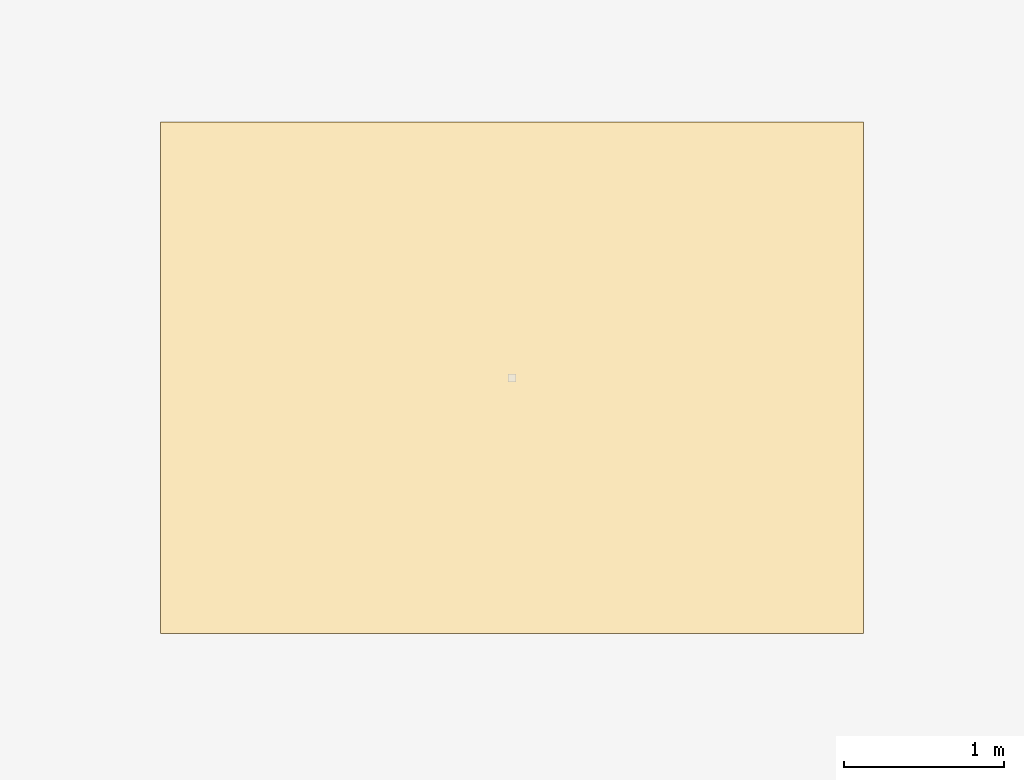
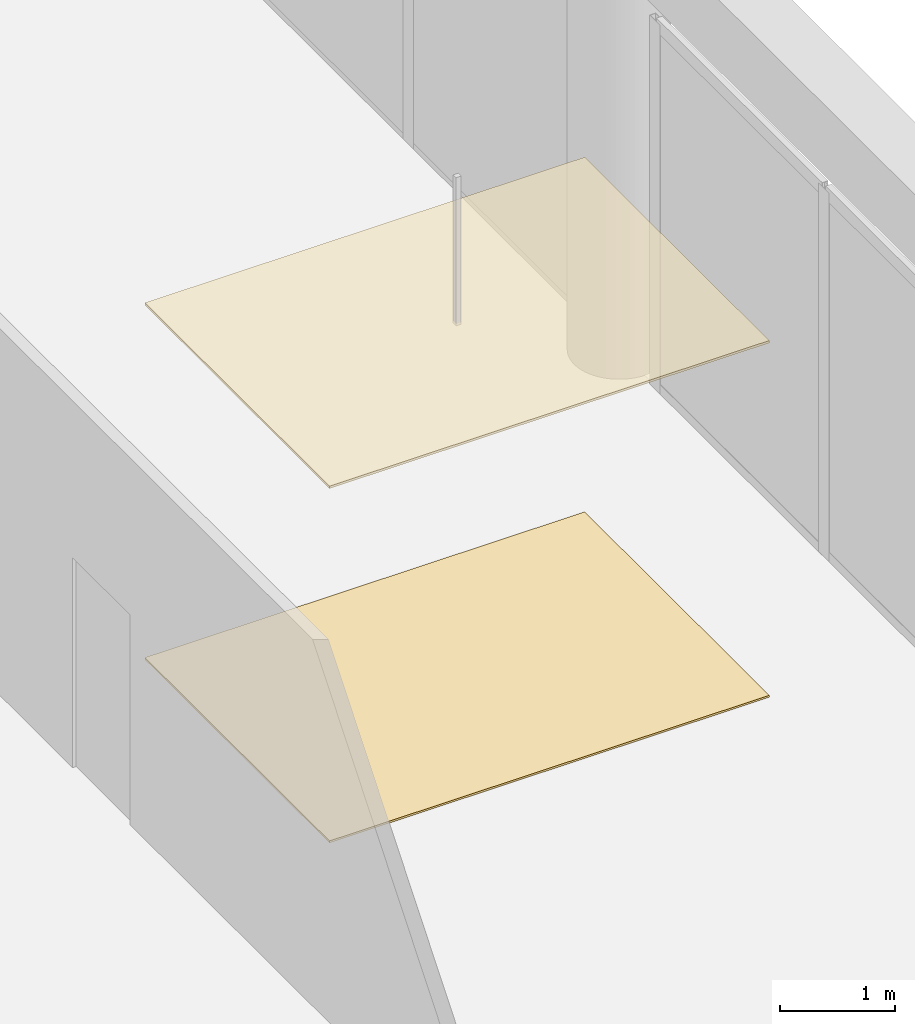
# One storey, part 52 of 56: 2 coverings.
"""IFC4 building model written with IfcOpenShell, lengths in metres."""

import ifcopenshell
import ifcopenshell.guid

model = None  # the IFC model being written
_history = None  # IfcOwnerHistory: only IFC2X3 demands one
_inside = {}  # id of a spatial element -> (the spatial element, [elements in it])
_under = {}  # id of a project, library or spatial element -> (it, [spatial elements below it])
_declared = {}  # id of a project -> (the project, [libraries it declares])
_typed = {}  # id of a type object -> (the type object, [elements of that type])
_made_of = {}  # id of a material, layer set ... -> (it, [elements and type objects made of it])


def new_model(schema):
    """Start an empty IFC model of exactly this schema.

    Asked for "IFC4X3", IfcOpenShell would pick the latest addendum, in which some entities
    have other attributes; the version numbers below select the first issue.
    IFC2X3 requires an IfcOwnerHistory on every rooted entity: one is made here for all.
    """
    global model, _history
    if schema == "IFC4X3":
        model = ifcopenshell.file(schema_version=(4, 3, 0, 0))
    else:
        model = ifcopenshell.file(schema=schema)
    _inside.clear()
    _under.clear()
    _declared.clear()
    _typed.clear()
    _made_of.clear()
    _history = None
    if model.schema == "IFC2X3":
        org = make("IfcOrganization", Name="unknown")
        user = make(
            "IfcPersonAndOrganization",
            ThePerson=make("IfcPerson", FamilyName="unknown"),
            TheOrganization=org,
        )
        app = make(
            "IfcApplication",
            ApplicationDeveloper=org,
            Version="unknown",
            ApplicationFullName="unknown",
            ApplicationIdentifier="unknown",
        )
        _history = make(
            "IfcOwnerHistory",
            OwningUser=user,
            OwningApplication=app,
            ChangeAction="ADDED",
            CreationDate=0,
        )
    return model


def make(cls, **values):
    """One entity of the class cls with the attributes given. An attribute that is None is left unset."""
    return model.create_entity(
        cls, **{name: value for name, value in values.items() if value is not None}
    )


def rooted(cls, **values):
    """An entity with a GlobalId (a new one), such as an element, a storey or a relation."""
    return make(cls, GlobalId=ifcopenshell.guid.new(), OwnerHistory=_history, **values)


def si_unit(unit_type, name, prefix=None):
    """IfcSIUnit, for example si_unit("LENGTHUNIT", "METRE", prefix="MILLI")."""
    return make("IfcSIUnit", UnitType=unit_type, Prefix=prefix, Name=name)


def assignment(units):
    """IfcUnitAssignment: the units of a project."""
    return None if units is None else make("IfcUnitAssignment", Units=units)


def point(xyz):
    """IfcCartesianPoint."""
    return None if xyz is None else make("IfcCartesianPoint", Coordinates=xyz)


def direction(xyz):
    """IfcDirection."""
    return None if xyz is None else make("IfcDirection", DirectionRatios=xyz)


def frame(location, z_axis=None, x_axis=None):
    """IfcAxis2Placement3D, a coordinate frame: its origin and axes. An axis left out is left unset."""
    return make(
        "IfcAxis2Placement3D",
        Location=point(location),
        Axis=direction(z_axis),
        RefDirection=direction(x_axis),
    )


def frame_2d(location, x_axis=None):
    """IfcAxis2Placement2D, a coordinate frame in the plane: its origin and x axis."""
    return make(
        "IfcAxis2Placement2D", Location=point(location), RefDirection=direction(x_axis)
    )


def origin():
    """The frame at (0, 0, 0) with its axes left unset."""
    return frame((0.0, 0.0, 0.0))


def origin_2d():
    """The frame at (0, 0) in the plane with its x axis left unset."""
    return frame_2d((0.0, 0.0))


def place(relative_to, where):
    """IfcLocalPlacement: puts the frame where relative to a parent placement (None: the world)."""
    return make(
        "IfcLocalPlacement", PlacementRelTo=relative_to, RelativePlacement=where
    )


def context(
    kind, dimensions, precision=None, world=None, true_north=None, identifier=None
):
    """IfcGeometricRepresentationContext, for example the 3D "Model" context."""
    return make(
        "IfcGeometricRepresentationContext",
        ContextIdentifier=identifier,
        ContextType=kind,
        CoordinateSpaceDimension=dimensions,
        Precision=precision,
        WorldCoordinateSystem=world,
        TrueNorth=true_north,
    )


def subcontext(parent, identifier, kind, view, scale=None):
    """IfcGeometricRepresentationSubContext, for example "Body" below "Model"."""
    return make(
        "IfcGeometricRepresentationSubContext",
        ContextIdentifier=identifier,
        ContextType=kind,
        ParentContext=parent,
        TargetScale=scale,
        TargetView=view,
    )


def project(units=None, contexts=None):
    """IfcProject with its units and contexts."""
    return rooted(
        "IfcProject",
        Name="project",
        RepresentationContexts=contexts,
        UnitsInContext=assignment(units),
    )


def spatial(cls, under=None, at=None, **own):
    """A site, building, storey or space (cls), placed at a placement, below another one or the project."""
    s = rooted(cls, ObjectPlacement=at, **own)
    if under is not None:
        _under.setdefault(under.id(), (under, []))[1].append(s)
    return s


def profile(cls, at=None, kind="AREA", **sizes):
    """A parametric profile (cls). Its sizes go by their IFC names, for example OverallWidth=200.0."""
    return make(cls, ProfileType=kind, Position=at, **sizes)


def rectangle(**sizes):
    """IfcRectangleProfileDef."""
    return profile("IfcRectangleProfileDef", **sizes)


def extrude(swept, where, along, depth):
    """IfcExtrudedAreaSolid: the profile swept, set in the frame where, extruded along a direction by depth."""
    return make(
        "IfcExtrudedAreaSolid",
        SweptArea=swept,
        Position=where,
        ExtrudedDirection=direction(along),
        Depth=depth,
    )


def shape(context_of_items, identifier, shape_type, items):
    """IfcShapeRepresentation: the items that make up one representation, for example the "Body"."""
    return make(
        "IfcShapeRepresentation",
        ContextOfItems=context_of_items,
        RepresentationIdentifier=identifier,
        RepresentationType=shape_type,
        Items=items,
    )


def material(Name=None, Category=None):
    """IfcMaterial."""
    return make("IfcMaterial", Name=Name, Category=Category)


def layer(
    of_material, thickness, ventilated=None, Name=None, Category=None, Priority=None
):
    """IfcMaterialLayer: one layer of a wall or slab, of a material (None: an air gap)."""
    return make(
        "IfcMaterialLayer",
        Material=of_material,
        LayerThickness=thickness,
        IsVentilated=ventilated,
        Name=Name,
        Category=Category,
        Priority=Priority,
    )


def layer_set(layers, Name=None):
    """IfcMaterialLayerSet."""
    return make("IfcMaterialLayerSet", MaterialLayers=layers, LayerSetName=Name)


def made_of(thing, what):
    """Note that an element or type object is made of a material, layer set ...; save() writes the relation."""
    if what is not None:
        _made_of.setdefault(what.id(), (what, []))[1].append(thing)
    return thing


def type_object(cls, material=None, **own):
    """A type object (cls), such as IfcWallType, which elements share."""
    return made_of(rooted(cls, **own), material)


def element(
    cls,
    number,
    at=None,
    inside=None,
    cuts=None,
    type_object=None,
    material=None,
    context=None,
    identifier="Body",
    shape_type=None,
    held_by="IfcProductDefinitionShape",
    body=None,
    shapes=None,
    **own,
):
    """One element of the class cls, such as IfcWall. Its Tag is "e" and its number.

    at: its placement. inside: the storey or other place that contains it. cuts: it is an
    opening in that element (IfcRelVoidsElement). A single representation is given by context,
    identifier, shape_type and body (its items); several are given by shapes. held_by: the class
    of the entity that holds the representations. save() writes the other relations.
    """
    e = rooted(cls, Tag="e%d" % number, ObjectPlacement=at, **own)
    if body is not None:
        shapes = [shape(context, identifier, shape_type, body)]
    if shapes is not None:
        e.Representation = make(held_by, Representations=shapes)
    if inside is not None:
        _inside.setdefault(inside.id(), (inside, []))[1].append(e)
    if cuts is not None:
        rooted(
            "IfcRelVoidsElement", RelatingBuildingElement=cuts, RelatedOpeningElement=e
        )
    if type_object is not None:
        _typed.setdefault(type_object.id(), (type_object, []))[1].append(e)
    return made_of(e, material)


def aggregate(whole, parts):
    """IfcRelAggregates: a whole, such as a stair, and the parts it consists of."""
    return rooted("IfcRelAggregates", RelatingObject=whole, RelatedObjects=parts)


def save(model, path):
    """Write the relations noted so far, then the file.

    IfcRelAggregates (storeys below a building ...), IfcRelContainedInSpatialStructure (elements
    in a storey), IfcRelDefinesByType, IfcRelAssociatesMaterial and IfcRelDeclares: one each for
    every whole, place, type object, material and project.
    """
    for whole, parts in _under.values():
        aggregate(whole, parts)
    for where, things in _inside.values():
        rooted(
            "IfcRelContainedInSpatialStructure",
            RelatedElements=things,
            RelatingStructure=where,
        )
    for kind, things in _typed.values():
        rooted("IfcRelDefinesByType", RelatedObjects=things, RelatingType=kind)
    for what, things in _made_of.values():
        rooted("IfcRelAssociatesMaterial", RelatedObjects=things, RelatingMaterial=what)
    for by, libraries in _declared.values():
        rooted("IfcRelDeclares", RelatingContext=by, RelatedDefinitions=libraries)
    model.write(path)


model = new_model("IFC4")

# Units and contexts
model_context = context("Model", 3, precision=1e-05, world=origin(), true_north=direction((0.0, 1.0)))
body_context = subcontext(model_context, "Body", "Model", "MODEL_VIEW")
ifc_project = project(units=[si_unit("LENGTHUNIT", "METRE"), si_unit("AREAUNIT", "SQUARE_METRE"), si_unit("VOLUMEUNIT", "CUBIC_METRE"), si_unit("PLANEANGLEUNIT", "RADIAN"), si_unit("MASSUNIT", "GRAM", prefix="KILO")], contexts=[model_context])

# Site, building, storey
site_placement = place(None, origin())
site = spatial("IfcSite", under=ifc_project, at=site_placement, CompositionType="ELEMENT")
building_placement = place(site_placement, origin())
building = spatial("IfcBuilding", under=site, at=building_placement, Name="Kazehaya Institute of Natural Sciences", CompositionType="ELEMENT")
storey_placement = place(building_placement, origin())
storey = spatial("IfcBuildingStorey", under=building, at=storey_placement, Name="L00", CompositionType="ELEMENT", Elevation=0.0)

# Coverings
ifc_material_1 = material(Name="Mineral-fibre acoustic ceiling tile")
ifc_layer_1 = layer(ifc_material_1, 0.02490234375, Name="Mineral-fibre acoustic ceiling tile")
ifc_layer_set_1 = layer_set([ifc_layer_1], Name="Mineral-fibre acoustic ceiling tile")
covering_type_1 = type_object("IfcCoveringType", Name="COV-CEIL-AC", PredefinedType="CEILING", material=ifc_layer_set_1)
covering_1_placement = place(storey_placement, frame((108.5, 46.39990234375, 3.74755859375), z_axis=(0.0, 0.0, 1.0), x_axis=(1.0, 0.0, 0.0)))
element("IfcCovering", 1, at=covering_1_placement, inside=storey, type_object=covering_type_1, Name="L00 Outreach Exhibition Gallery ceiling 11", PredefinedType="CEILING", context=body_context, shape_type="SweptSolid", body=[
    extrude(rectangle(XDim=4.39990234375, YDim=3.199951171875, at=origin_2d()), origin(), (0.0, 0.0, 1.0), 0.02490234375),
])
ifc_material_2 = material(Name="Polished Sawara stone terrazzo flooring", Category="masonry")
ifc_layer_2 = layer(ifc_material_2, 0.02001953125, Name="Polished Sawara stone terrazzo flooring", Category="masonry")
ifc_layer_set_2 = layer_set([ifc_layer_2], Name="Polished Sawara stone terrazzo flooring")
covering_type_2 = type_object("IfcCoveringType", Name="COV-FLR-TRZ", PredefinedType="FLOORING", material=ifc_layer_set_2)
covering_2_placement = place(storey_placement, frame((108.5, 46.39990234375, 0.0), z_axis=(0.0, 0.0, 1.0), x_axis=(1.0, 0.0, 0.0)))
element("IfcCovering", 2, at=covering_2_placement, inside=storey, type_object=covering_type_2, Name="L00 Outreach Exhibition Gallery finish flooring 11", PredefinedType="FLOORING", context=body_context, shape_type="SweptSolid", body=[
    extrude(rectangle(XDim=4.39990234375, YDim=3.199951171875, at=origin_2d()), origin(), (0.0, 0.0, 1.0), 0.02001953125),
])

save(model, "model.ifc")
